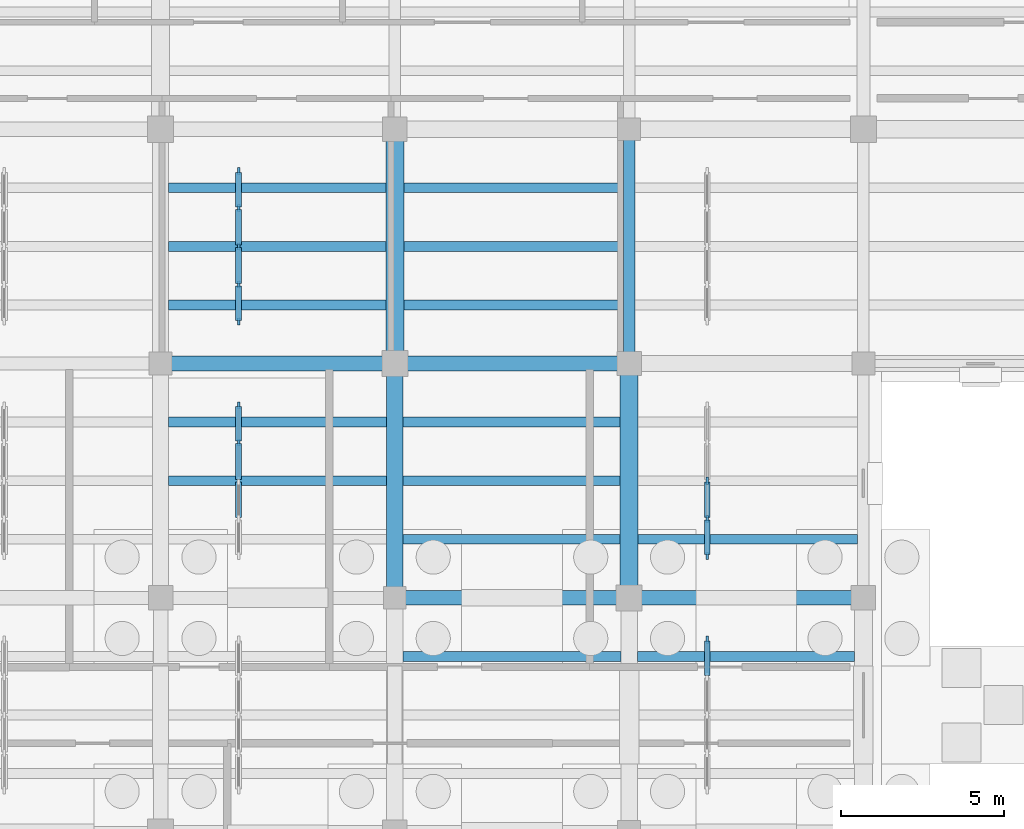
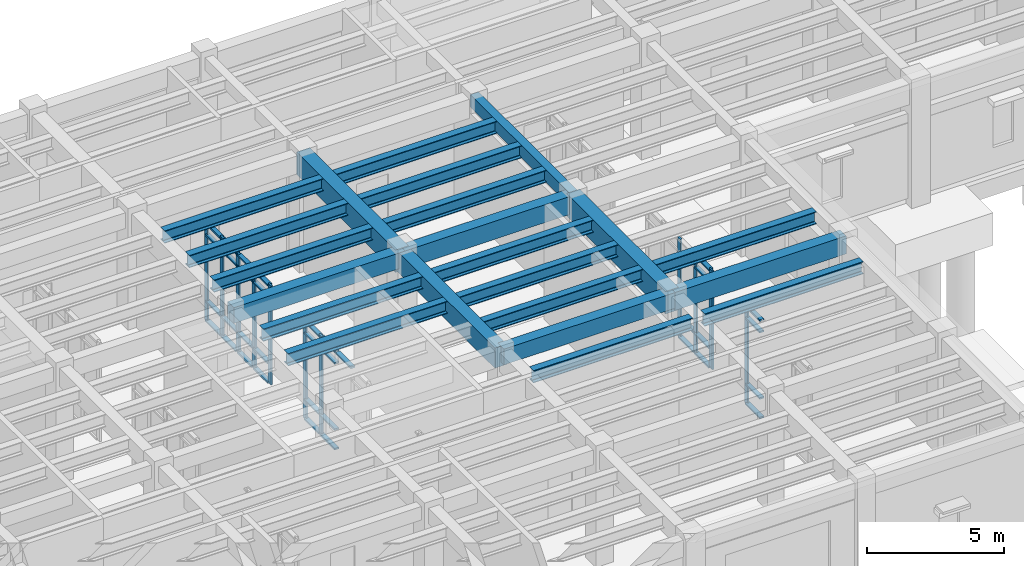
# One storey, part 36 of 100: 46 members, 22 beams, 4 elements without a shape of their own.
"""IFC4 building model written with IfcOpenShell, lengths in metres."""

from ifc_helpers import new_model, si_unit, direction, frame, origin, origin_2d, place, context, subcontext, project, spatial, rectangle, i_section, extrude, material, material_profile, profile_set, type_object, element, aggregate, save


model = new_model("IFC4")

# Units and contexts
model_context = context("Model", 3, precision=1e-05, world=origin(), true_north=direction((0.0, 1.0)))
body_context = subcontext(model_context, "Body", "Model", "MODEL_VIEW")
ifc_project = project(units=[si_unit("LENGTHUNIT", "METRE"), si_unit("AREAUNIT", "SQUARE_METRE"), si_unit("VOLUMEUNIT", "CUBIC_METRE"), si_unit("PLANEANGLEUNIT", "RADIAN"), si_unit("MASSUNIT", "GRAM", prefix="KILO")], contexts=[model_context])

# Site, building, storey
site_placement = place(None, origin())
site = spatial("IfcSite", under=ifc_project, at=site_placement, CompositionType="ELEMENT")
building_placement = place(site_placement, origin())
building = spatial("IfcBuilding", under=site, at=building_placement, Name="Mithqara Police Headquarters", CompositionType="ELEMENT")
storey_placement = place(building_placement, origin())
storey = spatial("IfcBuildingStorey", under=building, at=storey_placement, Name="L00", CompositionType="ELEMENT", Elevation=0.0)

# Beams
ifc_material_1 = material(Name="Steel S355JR", Category="steel")
ifc_material_profile_1 = material_profile(ifc_material_1, i_section(OverallWidth=0.300048828125, OverallDepth=0.550048828125, WebThickness=0.014892578125, FlangeThickness=0.029052734375, FilletRadius=0.027099609375, at=origin_2d()), Name="HEB 550")
ifc_profile_set_1 = profile_set([ifc_material_profile_1], Name="Steel S355JR")
beam_type_1 = type_object("IfcBeamType", Name="BEAM HEB550", PredefinedType="BEAM", material=ifc_profile_set_1)
for number, where, z_axis, x_axis, name in (
    (1, (123.25, 17.39990234375, 4.844970703125), (1.0, 0.0, 0.0), (0.0, 1.0, 0.0), "L00 Composite Steel Joist 18-19/C.2"),
    (2, (123.25, 19.199951171875, 4.844970703125), (1.0, 0.0, 0.0), (0.0, 1.0, 0.0), "L00 Composite Steel Joist 18-19/C.3"),
):
    element("IfcBeam", number, at=place(storey_placement, frame(where, z_axis=z_axis, x_axis=x_axis)), inside=storey, type_object=beam_type_1, Name=name, PredefinedType="BEAM", context=body_context, shape_type="SweptSolid", body=[
        extrude(i_section(OverallWidth=0.300048828125, OverallDepth=0.550048828125, WebThickness=0.014892578125, FlangeThickness=0.029052734375, FilletRadius=0.027099609375, at=origin_2d()), origin(), (0.0, 0.0, 1.0), 6.699951171875),
    ])
for number, where, z_axis, x_axis, name in (
    (3, (123.25, 22.800048828125, 4.844970703125), (1.0, 0.0, 0.0), (0.0, 1.0, 0.0), "L00 Composite Steel Joist 18-19/D.1"),
    (4, (123.25, 24.60009765625, 4.844970703125), (1.0, 0.0, 0.0), (0.0, 1.0, 0.0), "L00 Composite Steel Joist 18-19/D.2"),
    (5, (123.25, 26.39990234375, 4.844970703125), (1.0, 0.0, 0.0), (0.0, 1.0, 0.0), "L00 Composite Steel Joist 18-19/D.3"),
):
    element("IfcBeam", number, at=place(storey_placement, frame(where, z_axis=z_axis, x_axis=x_axis)), inside=storey, type_object=beam_type_1, Name=name, PredefinedType="BEAM", context=body_context, shape_type="SweptSolid", body=[
        extrude(i_section(OverallWidth=0.300048828125, OverallDepth=0.550048828125, WebThickness=0.014892578125, FlangeThickness=0.029052734375, FilletRadius=0.027099609375, at=origin_2d()), origin(), (0.0, 0.0, 1.0), 6.675048828125),
    ])
beam_1_placement = place(storey_placement, frame((130.449951171875, 12.0, 4.844970703125), z_axis=(1.0, 0.0, 0.0), x_axis=(0.0, 1.0, 0.0)))
element("IfcBeam", 6, at=beam_1_placement, inside=storey, type_object=beam_type_1, Name="L00 Composite Steel Joist 19-20/B.3", PredefinedType="BEAM", context=body_context, shape_type="SweptSolid", body=[
    extrude(i_section(OverallWidth=0.300048828125, OverallDepth=0.550048828125, WebThickness=0.014892578125, FlangeThickness=0.029052734375, FilletRadius=0.027099609375, at=origin_2d()), origin(), (0.0, 0.0, 1.0), 6.699951171875),
])
for number, where, z_axis, x_axis, name in (
    (7, (130.449951171875, 15.60009765625, 4.844970703125), (1.0, 0.0, 0.0), (0.0, 1.0, 0.0), "L00 Composite Steel Joist 19-20/C.1"),
    (8, (130.449951171875, 17.39990234375, 4.844970703125), (1.0, 0.0, 0.0), (0.0, 1.0, 0.0), "L00 Composite Steel Joist 19-20/C.2"),
    (9, (130.449951171875, 19.199951171875, 4.844970703125), (1.0, 0.0, 0.0), (0.0, 1.0, 0.0), "L00 Composite Steel Joist 19-20/C.3"),
):
    element("IfcBeam", number, at=place(storey_placement, frame(where, z_axis=z_axis, x_axis=x_axis)), inside=storey, type_object=beam_type_1, Name=name, PredefinedType="BEAM", context=body_context, shape_type="SweptSolid", body=[
        extrude(i_section(OverallWidth=0.300048828125, OverallDepth=0.550048828125, WebThickness=0.014892578125, FlangeThickness=0.029052734375, FilletRadius=0.027099609375, at=origin_2d()), origin(), (0.0, 0.0, 1.0), 6.675048828125),
    ])
for number, where, z_axis, x_axis, name in (
    (10, (130.47509765625, 22.800048828125, 4.844970703125), (1.0, 0.0, 0.0), (0.0, 1.0, 0.0), "L00 Composite Steel Joist 19-20/D.1"),
    (11, (130.47509765625, 24.60009765625, 4.844970703125), (1.0, 0.0, 0.0), (0.0, 1.0, 0.0), "L00 Composite Steel Joist 19-20/D.2"),
    (12, (130.47509765625, 26.39990234375, 4.844970703125), (1.0, 0.0, 0.0), (0.0, 1.0, 0.0), "L00 Composite Steel Joist 19-20/D.3"),
):
    element("IfcBeam", number, at=place(storey_placement, frame(where, z_axis=z_axis, x_axis=x_axis)), inside=storey, type_object=beam_type_1, Name=name, PredefinedType="BEAM", context=body_context, shape_type="SweptSolid", body=[
        extrude(i_section(OverallWidth=0.300048828125, OverallDepth=0.550048828125, WebThickness=0.014892578125, FlangeThickness=0.029052734375, FilletRadius=0.027099609375, at=origin_2d()), origin(), (0.0, 0.0, 1.0), 6.75),
    ])
beam_2_placement = place(storey_placement, frame((137.64990234375, 12.0, 4.844970703125), z_axis=(1.0, 0.0, 0.0), x_axis=(0.0, 1.0, 0.0)))
element("IfcBeam", 13, at=beam_2_placement, inside=storey, type_object=beam_type_1, Name="L00 Composite Steel Joist 20-21/B.3", PredefinedType="BEAM", context=body_context, shape_type="SweptSolid", body=[
    extrude(i_section(OverallWidth=0.300048828125, OverallDepth=0.550048828125, WebThickness=0.014892578125, FlangeThickness=0.029052734375, FilletRadius=0.027099609375, at=origin_2d()), origin(), (0.0, 0.0, 1.0), 6.675048828125),
])
beam_3_placement = place(storey_placement, frame((137.675048828125, 15.60009765625, 4.844970703125), z_axis=(1.0, 0.0, 0.0), x_axis=(0.0, 1.0, 0.0)))
element("IfcBeam", 14, at=beam_3_placement, inside=storey, type_object=beam_type_1, Name="L00 Composite Steel Joist 20-21/C.1", PredefinedType="BEAM", context=body_context, shape_type="SweptSolid", body=[
    extrude(i_section(OverallWidth=0.300048828125, OverallDepth=0.550048828125, WebThickness=0.014892578125, FlangeThickness=0.029052734375, FilletRadius=0.027099609375, at=origin_2d()), origin(), (0.0, 0.0, 1.0), 6.75),
])
ifc_material_2 = material(Name="Concrete C40/50", Category="concrete")
ifc_material_profile_2 = material_profile(ifc_material_2, rectangle(XDim=0.35009765625, YDim=0.550048828125, at=origin_2d()), Name="RC 350x550")
ifc_profile_set_2 = profile_set([ifc_material_profile_2], Name="Concrete C40/50")
beam_type_2 = type_object("IfcBeamType", Name="BEAM RC350X550", PredefinedType="BEAM", material=ifc_profile_set_2)
beam_4_placement = place(storey_placement, frame((137.39990234375, 21.0, 4.844970703125), z_axis=(0.0, 1.0, 0.0), x_axis=(-1.0, 0.0, 0.0)))
element("IfcBeam", 15, at=beam_4_placement, inside=storey, type_object=beam_type_2, Name="L00 Girder 20/D-E", PredefinedType="BEAM", context=body_context, shape_type="SweptSolid", body=[
    extrude(rectangle(XDim=0.35009765625, YDim=0.550048828125, at=origin_2d()), origin(), (0.0, 0.0, 1.0), 7.199951171875),
])
ifc_material_profile_3 = material_profile(ifc_material_2, rectangle(XDim=0.449951171875, YDim=0.699951171875, at=origin_2d()), Name="RC 450x700")
ifc_profile_set_3 = profile_set([ifc_material_profile_3], Name="Concrete C40/50")
beam_type_3 = type_object("IfcBeamType", Name="BEAM RC450X700", PredefinedType="BEAM", material=ifc_profile_set_3)
for number, where, z_axis, x_axis, name in (
    (16, (123.0, 21.0, 4.77001953125), (1.0, 0.0, 0.0), (0.0, 1.0, 0.0), "L00 Girder 18-19/D"),
    (17, (130.199951171875, 13.800048828125, 4.77001953125), (1.0, 0.0, 0.0), (0.0, 1.0, 0.0), "L00 Girder 19-20/C"),
):
    element("IfcBeam", number, at=place(storey_placement, frame(where, z_axis=z_axis, x_axis=x_axis)), inside=storey, type_object=beam_type_3, Name=name, PredefinedType="BEAM", context=body_context, shape_type="SweptSolid", body=[
        extrude(rectangle(XDim=0.449951171875, YDim=0.699951171875, at=origin_2d()), origin(), (0.0, 0.0, 1.0), 7.199951171875),
    ])
ifc_material_profile_4 = material_profile(ifc_material_2, rectangle(XDim=0.449951171875, YDim=0.800048828125, at=origin_2d()), Name="RC 450x800")
ifc_profile_set_4 = profile_set([ifc_material_profile_4], Name="Concrete C40/50")
beam_type_4 = type_object("IfcBeamType", Name="BEAM RC450X800", PredefinedType="BEAM", material=ifc_profile_set_4)
beam_5_placement = place(storey_placement, frame((130.199951171875, 21.0, 4.719970703125), z_axis=(1.0, 0.0, 0.0), x_axis=(0.0, 1.0, 0.0)))
element("IfcBeam", 18, at=beam_5_placement, inside=storey, type_object=beam_type_4, Name="L00 Girder 19-20/D", PredefinedType="BEAM", context=body_context, shape_type="SweptSolid", body=[
    extrude(rectangle(XDim=0.449951171875, YDim=0.800048828125, at=origin_2d()), origin(), (0.0, 0.0, 1.0), 7.199951171875),
])
beam_6_placement = place(storey_placement, frame((137.39990234375, 13.800048828125, 4.719970703125), z_axis=(1.0, 0.0, 0.0), x_axis=(0.0, 1.0, 0.0)))
element("IfcBeam", 19, at=beam_6_placement, inside=storey, type_object=beam_type_4, Name="L00 Girder 20-21/C", PredefinedType="BEAM", context=body_context, shape_type="SweptSolid", body=[
    extrude(rectangle(XDim=0.449951171875, YDim=0.800048828125, at=origin_2d()), origin(), (0.0, 0.0, 1.0), 7.2001953125),
])
ifc_material_3 = material(Name="Concrete C50/60", Category="concrete")
ifc_material_profile_5 = material_profile(ifc_material_3, rectangle(XDim=0.5, YDim=0.89990234375, at=origin_2d()), Name="RC 500x900")
ifc_profile_set_5 = profile_set([ifc_material_profile_5], Name="Concrete C50/60")
beam_type_5 = type_object("IfcBeamType", Name="BEAM RC500X900", PredefinedType="BEAM", material=ifc_profile_set_5)
beam_7_placement = place(storey_placement, frame((130.199951171875, 13.800048828125, 4.669921875), z_axis=(0.0, 1.0, 0.0), x_axis=(-1.0, 0.0, 0.0)))
element("IfcBeam", 20, at=beam_7_placement, inside=storey, type_object=beam_type_5, Name="L00 Girder 19/C-D", PredefinedType="BEAM", context=body_context, shape_type="SweptSolid", body=[
    extrude(rectangle(XDim=0.5, YDim=0.89990234375, at=origin_2d()), origin(), (0.0, 0.0, 1.0), 7.199951171875),
])
ifc_material_profile_6 = material_profile(ifc_material_3, rectangle(XDim=0.550048828125, YDim=1.0, at=origin_2d()), Name="RC 550x1000")
ifc_profile_set_6 = profile_set([ifc_material_profile_6], Name="Concrete C50/60")
beam_type_6 = type_object("IfcBeamType", Name="BEAM RC550X1000", PredefinedType="BEAM", material=ifc_profile_set_6)
for number, where, z_axis, x_axis, name in (
    (21, (130.199951171875, 21.0, 4.6201171875), (0.0, 1.0, 0.0), (-1.0, 0.0, 0.0), "L00 Girder 19/D-E"),
    (22, (137.39990234375, 13.800048828125, 4.6201171875), (0.0, 1.0, 0.0), (-1.0, 0.0, 0.0), "L00 Girder 20/C-D"),
):
    element("IfcBeam", number, at=place(storey_placement, frame(where, z_axis=z_axis, x_axis=x_axis)), inside=storey, type_object=beam_type_6, Name=name, PredefinedType="BEAM", context=body_context, shape_type="SweptSolid", body=[
        extrude(rectangle(XDim=0.550048828125, YDim=1.0, at=origin_2d()), origin(), (0.0, 0.0, 1.0), 7.199951171875),
    ])

# Curtain wall, members
ifc_material_4 = material(Name="Bronze anodised aluminium 6063-T6", Category="aluminium")
curtain_wall_type = type_object("IfcCurtainWallType", Name="CURTAIN WALL 4700X4400", PredefinedType="USERDEFINED", material=ifc_material_4)
curtain_wall_1_placement = place(storey_placement, origin())
curtain_wall_1 = element("IfcCurtainWall", 23, at=curtain_wall_1_placement, inside=storey, type_object=curtain_wall_type, Name="L00 Unitised Glazing CW-14 (CW-INT-L00-X17-Y02-0)", ObjectType="UNITISED GLAZING", PredefinedType="USERDEFINED")
ifc_material_profile_7 = material_profile(ifc_material_4, rectangle(XDim=0.074951171875, YDim=0.219970703125, at=origin_2d()), Name="CWM 75x220")
ifc_profile_set_7 = profile_set([ifc_material_profile_7], Name="Bronze anodised aluminium 6063-T6")
member_type_1 = type_object("IfcMemberType", Name="CWMULLION 75X220", PredefinedType="MULLION", material=ifc_profile_set_7)
member_1_placement = place(storey_placement, frame((125.39990234375, 18.574951171875, 0.0), z_axis=(0.0, 0.0, 1.0), x_axis=(-1.0, 0.0, 0.0)))
member_1 = element("IfcMember", 24, at=member_1_placement, type_object=member_type_1, Name="CW-14 mullion 4", PredefinedType="MULLION", context=body_context, shape_type="SweptSolid", body=[
    extrude(rectangle(XDim=0.074951171875, YDim=0.219970703125, at=origin_2d()), origin(), (0.0, 0.0, 1.0), 4.39990234375),
])
member_2_placement = place(storey_placement, frame((125.39990234375, 19.71240234375, 0.0), z_axis=(0.0, 0.0, 1.0), x_axis=(-1.0, 0.0, 0.0)))
member_2 = element("IfcMember", 25, at=member_2_placement, type_object=member_type_1, Name="CW-14 mullion 5", PredefinedType="MULLION", context=body_context, shape_type="SweptSolid", body=[
    extrude(rectangle(XDim=0.074951171875, YDim=0.219970703125, at=origin_2d()), origin(), (0.0, 0.0, 1.0), 4.39990234375),
])

curtain_wall_2_placement = place(storey_placement, origin())
curtain_wall_2 = element("IfcCurtainWall", 26, at=curtain_wall_2_placement, inside=storey, type_object=curtain_wall_type, Name="L00 Unitised Glazing CW-14 (CW-INT-L00-X17-Y03-0)", ObjectType="UNITISED GLAZING", PredefinedType="USERDEFINED")
member_3_placement = place(storey_placement, frame((125.39990234375, 22.28759765625, 0.0), z_axis=(0.0, 0.0, 1.0), x_axis=(-1.0, 0.0, 0.0)))
member_3 = element("IfcMember", 27, at=member_3_placement, type_object=member_type_1, Name="CW-14 mullion 1", PredefinedType="MULLION", context=body_context, shape_type="SweptSolid", body=[
    extrude(rectangle(XDim=0.074951171875, YDim=0.219970703125, at=origin_2d()), origin(), (0.0, 0.0, 1.0), 4.39990234375),
])
member_4_placement = place(storey_placement, frame((125.39990234375, 23.425048828125, 0.0), z_axis=(0.0, 0.0, 1.0), x_axis=(-1.0, 0.0, 0.0)))
member_4 = element("IfcMember", 28, at=member_4_placement, type_object=member_type_1, Name="CW-14 mullion 2", PredefinedType="MULLION", context=body_context, shape_type="SweptSolid", body=[
    extrude(rectangle(XDim=0.074951171875, YDim=0.219970703125, at=origin_2d()), origin(), (0.0, 0.0, 1.0), 4.39990234375),
])
member_5_placement = place(storey_placement, frame((125.39990234375, 24.60009765625, 0.0), z_axis=(0.0, 0.0, 1.0), x_axis=(-1.0, 0.0, 0.0)))
member_5 = element("IfcMember", 29, at=member_5_placement, type_object=member_type_1, Name="CW-14 mullion 3", PredefinedType="MULLION", context=body_context, shape_type="SweptSolid", body=[
    extrude(rectangle(XDim=0.074951171875, YDim=0.219970703125, at=origin_2d()), origin(), (0.0, 0.0, 1.0), 4.39990234375),
])
member_6_placement = place(storey_placement, frame((125.39990234375, 25.77490234375, 0.0), z_axis=(0.0, 0.0, 1.0), x_axis=(-1.0, 0.0, 0.0)))
member_6 = element("IfcMember", 30, at=member_6_placement, type_object=member_type_1, Name="CW-14 mullion 4", PredefinedType="MULLION", context=body_context, shape_type="SweptSolid", body=[
    extrude(rectangle(XDim=0.074951171875, YDim=0.219970703125, at=origin_2d()), origin(), (0.0, 0.0, 1.0), 4.39990234375),
])
member_7_placement = place(storey_placement, frame((125.39990234375, 26.91259765625, 0.0), z_axis=(0.0, 0.0, 1.0), x_axis=(-1.0, 0.0, 0.0)))
member_7 = element("IfcMember", 31, at=member_7_placement, type_object=member_type_1, Name="CW-14 mullion 5", PredefinedType="MULLION", context=body_context, shape_type="SweptSolid", body=[
    extrude(rectangle(XDim=0.074951171875, YDim=0.219970703125, at=origin_2d()), origin(), (0.0, 0.0, 1.0), 4.39990234375),
])

# Curtain wall, member
curtain_wall_3_placement = place(storey_placement, origin())
curtain_wall_3 = element("IfcCurtainWall", 32, at=curtain_wall_3_placement, inside=storey, type_object=curtain_wall_type, Name="L00 Unitised Glazing CW-14 (CW-INT-L00-X19-Y01-0)", ObjectType="UNITISED GLAZING", PredefinedType="USERDEFINED")
member_8_placement = place(storey_placement, frame((139.800048828125, 12.512451171875, 0.0), z_axis=(0.0, 0.0, 1.0), x_axis=(-1.0, 0.0, 0.0)))
member_8 = element("IfcMember", 33, at=member_8_placement, type_object=member_type_1, Name="CW-14 mullion 5", PredefinedType="MULLION", context=body_context, shape_type="SweptSolid", body=[
    extrude(rectangle(XDim=0.074951171875, YDim=0.219970703125, at=origin_2d()), origin(), (0.0, 0.0, 1.0), 4.39990234375),
])

# Curtain wall, members
curtain_wall_4_placement = place(storey_placement, origin())
curtain_wall_4 = element("IfcCurtainWall", 34, at=curtain_wall_4_placement, inside=storey, type_object=curtain_wall_type, Name="L00 Unitised Glazing CW-14 (CW-INT-L00-X19-Y02-0)", ObjectType="UNITISED GLAZING", PredefinedType="USERDEFINED")
member_9_placement = place(storey_placement, frame((139.800048828125, 15.08740234375, 0.0), z_axis=(0.0, 0.0, 1.0), x_axis=(-1.0, 0.0, 0.0)))
member_9 = element("IfcMember", 35, at=member_9_placement, type_object=member_type_1, Name="CW-14 mullion 1", PredefinedType="MULLION", context=body_context, shape_type="SweptSolid", body=[
    extrude(rectangle(XDim=0.074951171875, YDim=0.219970703125, at=origin_2d()), origin(), (0.0, 0.0, 1.0), 4.39990234375),
])
member_10_placement = place(storey_placement, frame((139.800048828125, 16.22509765625, 0.0), z_axis=(0.0, 0.0, 1.0), x_axis=(-1.0, 0.0, 0.0)))
member_10 = element("IfcMember", 36, at=member_10_placement, type_object=member_type_1, Name="CW-14 mullion 2", PredefinedType="MULLION", context=body_context, shape_type="SweptSolid", body=[
    extrude(rectangle(XDim=0.074951171875, YDim=0.219970703125, at=origin_2d()), origin(), (0.0, 0.0, 1.0), 4.39990234375),
])
member_11_placement = place(storey_placement, frame((139.800048828125, 17.39990234375, 0.0), z_axis=(0.0, 0.0, 1.0), x_axis=(-1.0, 0.0, 0.0)))
member_11 = element("IfcMember", 37, at=member_11_placement, type_object=member_type_1, Name="CW-14 mullion 3", PredefinedType="MULLION", context=body_context, shape_type="SweptSolid", body=[
    extrude(rectangle(XDim=0.074951171875, YDim=0.219970703125, at=origin_2d()), origin(), (0.0, 0.0, 1.0), 4.39990234375),
])

# Member
ifc_material_profile_8 = material_profile(ifc_material_4, rectangle(XDim=0.179931640625, YDim=0.074951171875, at=origin_2d()), Name="CWT 180x75")
ifc_profile_set_8 = profile_set([ifc_material_profile_8], Name="Bronze anodised aluminium 6063-T6")
member_type_2 = type_object("IfcMemberType", Name="CWTRANSOM 180X75", PredefinedType="USERDEFINED", material=ifc_profile_set_8)
member_12_placement = place(storey_placement, frame((125.39990234375, 16.262451171875, 4.362548828125), z_axis=(0.0, 1.0, 0.0), x_axis=(-1.0, 0.0, 0.0)))
member_12 = element("IfcMember", 38, at=member_12_placement, type_object=member_type_2, Name="CW-14 transom 2.4", ObjectType="TRANSOM", PredefinedType="USERDEFINED", context=body_context, shape_type="SweptSolid", body=[
    extrude(rectangle(XDim=0.179931640625, YDim=0.074951171875, at=origin_2d()), origin(), (0.0, 0.0, 1.0), 1.10009765625),
])

member_13_placement = place(storey_placement, frame((125.39990234375, 17.4375, 0.03759765625), z_axis=(0.0, 1.0, 0.0), x_axis=(-1.0, 0.0, 0.0)))
member_13 = element("IfcMember", 39, at=member_13_placement, type_object=member_type_2, Name="CW-14 transom 3.1", ObjectType="TRANSOM", PredefinedType="USERDEFINED", context=body_context, shape_type="SweptSolid", body=[
    extrude(rectangle(XDim=0.179931640625, YDim=0.074951171875, at=origin_2d()), origin(), (0.0, 0.0, 1.0), 1.10009765625),
])

member_14_placement = place(storey_placement, frame((125.39990234375, 17.4375, 0.89990234375), z_axis=(0.0, 1.0, 0.0), x_axis=(-1.0, 0.0, 0.0)))
member_14 = element("IfcMember", 40, at=member_14_placement, type_object=member_type_2, Name="CW-14 transom 3.2", ObjectType="TRANSOM", PredefinedType="USERDEFINED", context=body_context, shape_type="SweptSolid", body=[
    extrude(rectangle(XDim=0.179931640625, YDim=0.074951171875, at=origin_2d()), origin(), (0.0, 0.0, 1.0), 1.10009765625),
])

member_15_placement = place(storey_placement, frame((125.39990234375, 17.4375, 3.85009765625), z_axis=(0.0, 1.0, 0.0), x_axis=(-1.0, 0.0, 0.0)))
member_15 = element("IfcMember", 41, at=member_15_placement, type_object=member_type_2, Name="CW-14 transom 3.3", ObjectType="TRANSOM", PredefinedType="USERDEFINED", context=body_context, shape_type="SweptSolid", body=[
    extrude(rectangle(XDim=0.179931640625, YDim=0.074951171875, at=origin_2d()), origin(), (0.0, 0.0, 1.0), 1.10009765625),
])

member_16_placement = place(storey_placement, frame((125.39990234375, 17.4375, 4.362548828125), z_axis=(0.0, 1.0, 0.0), x_axis=(-1.0, 0.0, 0.0)))
member_16 = element("IfcMember", 42, at=member_16_placement, type_object=member_type_2, Name="CW-14 transom 3.4", ObjectType="TRANSOM", PredefinedType="USERDEFINED", context=body_context, shape_type="SweptSolid", body=[
    extrude(rectangle(XDim=0.179931640625, YDim=0.074951171875, at=origin_2d()), origin(), (0.0, 0.0, 1.0), 1.10009765625),
])

member_17_placement = place(storey_placement, frame((125.39990234375, 18.612548828125, 0.03759765625), z_axis=(0.0, 1.0, 0.0), x_axis=(-1.0, 0.0, 0.0)))
member_17 = element("IfcMember", 43, at=member_17_placement, type_object=member_type_2, Name="CW-14 transom 4.1", ObjectType="TRANSOM", PredefinedType="USERDEFINED", context=body_context, shape_type="SweptSolid", body=[
    extrude(rectangle(XDim=0.179931640625, YDim=0.074951171875, at=origin_2d()), origin(), (0.0, 0.0, 1.0), 1.0625),
])

member_18_placement = place(storey_placement, frame((125.39990234375, 18.612548828125, 0.89990234375), z_axis=(0.0, 1.0, 0.0), x_axis=(-1.0, 0.0, 0.0)))
member_18 = element("IfcMember", 44, at=member_18_placement, type_object=member_type_2, Name="CW-14 transom 4.2", ObjectType="TRANSOM", PredefinedType="USERDEFINED", context=body_context, shape_type="SweptSolid", body=[
    extrude(rectangle(XDim=0.179931640625, YDim=0.074951171875, at=origin_2d()), origin(), (0.0, 0.0, 1.0), 1.0625),
])

member_19_placement = place(storey_placement, frame((125.39990234375, 18.612548828125, 3.85009765625), z_axis=(0.0, 1.0, 0.0), x_axis=(-1.0, 0.0, 0.0)))
member_19 = element("IfcMember", 45, at=member_19_placement, type_object=member_type_2, Name="CW-14 transom 4.3", ObjectType="TRANSOM", PredefinedType="USERDEFINED", context=body_context, shape_type="SweptSolid", body=[
    extrude(rectangle(XDim=0.179931640625, YDim=0.074951171875, at=origin_2d()), origin(), (0.0, 0.0, 1.0), 1.0625),
])

member_20_placement = place(storey_placement, frame((125.39990234375, 18.612548828125, 4.362548828125), z_axis=(0.0, 1.0, 0.0), x_axis=(-1.0, 0.0, 0.0)))
member_20 = element("IfcMember", 46, at=member_20_placement, type_object=member_type_2, Name="CW-14 transom 4.4", ObjectType="TRANSOM", PredefinedType="USERDEFINED", context=body_context, shape_type="SweptSolid", body=[
    extrude(rectangle(XDim=0.179931640625, YDim=0.074951171875, at=origin_2d()), origin(), (0.0, 0.0, 1.0), 1.0625),
])

aggregate(curtain_wall_1, [member_1, member_2, member_12, member_13, member_14, member_15, member_16, member_17, member_18, member_19, member_20])

member_21_placement = place(storey_placement, frame((125.39990234375, 22.324951171875, 0.03759765625), z_axis=(0.0, 1.0, 0.0), x_axis=(-1.0, 0.0, 0.0)))
member_21 = element("IfcMember", 47, at=member_21_placement, type_object=member_type_2, Name="CW-14 transom 1.1", ObjectType="TRANSOM", PredefinedType="USERDEFINED", context=body_context, shape_type="SweptSolid", body=[
    extrude(rectangle(XDim=0.179931640625, YDim=0.074951171875, at=origin_2d()), origin(), (0.0, 0.0, 1.0), 1.0625),
])

member_22_placement = place(storey_placement, frame((125.39990234375, 22.324951171875, 0.89990234375), z_axis=(0.0, 1.0, 0.0), x_axis=(-1.0, 0.0, 0.0)))
member_22 = element("IfcMember", 48, at=member_22_placement, type_object=member_type_2, Name="CW-14 transom 1.2", ObjectType="TRANSOM", PredefinedType="USERDEFINED", context=body_context, shape_type="SweptSolid", body=[
    extrude(rectangle(XDim=0.179931640625, YDim=0.074951171875, at=origin_2d()), origin(), (0.0, 0.0, 1.0), 1.0625),
])

member_23_placement = place(storey_placement, frame((125.39990234375, 22.324951171875, 3.85009765625), z_axis=(0.0, 1.0, 0.0), x_axis=(-1.0, 0.0, 0.0)))
member_23 = element("IfcMember", 49, at=member_23_placement, type_object=member_type_2, Name="CW-14 transom 1.3", ObjectType="TRANSOM", PredefinedType="USERDEFINED", context=body_context, shape_type="SweptSolid", body=[
    extrude(rectangle(XDim=0.179931640625, YDim=0.074951171875, at=origin_2d()), origin(), (0.0, 0.0, 1.0), 1.0625),
])

member_24_placement = place(storey_placement, frame((125.39990234375, 22.324951171875, 4.362548828125), z_axis=(0.0, 1.0, 0.0), x_axis=(-1.0, 0.0, 0.0)))
member_24 = element("IfcMember", 50, at=member_24_placement, type_object=member_type_2, Name="CW-14 transom 1.4", ObjectType="TRANSOM", PredefinedType="USERDEFINED", context=body_context, shape_type="SweptSolid", body=[
    extrude(rectangle(XDim=0.179931640625, YDim=0.074951171875, at=origin_2d()), origin(), (0.0, 0.0, 1.0), 1.0625),
])

member_25_placement = place(storey_placement, frame((125.39990234375, 23.46240234375, 0.03759765625), z_axis=(0.0, 1.0, 0.0), x_axis=(-1.0, 0.0, 0.0)))
member_25 = element("IfcMember", 51, at=member_25_placement, type_object=member_type_2, Name="CW-14 transom 2.1", ObjectType="TRANSOM", PredefinedType="USERDEFINED", context=body_context, shape_type="SweptSolid", body=[
    extrude(rectangle(XDim=0.179931640625, YDim=0.074951171875, at=origin_2d()), origin(), (0.0, 0.0, 1.0), 1.10009765625),
])

member_26_placement = place(storey_placement, frame((125.39990234375, 23.46240234375, 0.89990234375), z_axis=(0.0, 1.0, 0.0), x_axis=(-1.0, 0.0, 0.0)))
member_26 = element("IfcMember", 52, at=member_26_placement, type_object=member_type_2, Name="CW-14 transom 2.2", ObjectType="TRANSOM", PredefinedType="USERDEFINED", context=body_context, shape_type="SweptSolid", body=[
    extrude(rectangle(XDim=0.179931640625, YDim=0.074951171875, at=origin_2d()), origin(), (0.0, 0.0, 1.0), 1.10009765625),
])

member_27_placement = place(storey_placement, frame((125.39990234375, 23.46240234375, 3.85009765625), z_axis=(0.0, 1.0, 0.0), x_axis=(-1.0, 0.0, 0.0)))
member_27 = element("IfcMember", 53, at=member_27_placement, type_object=member_type_2, Name="CW-14 transom 2.3", ObjectType="TRANSOM", PredefinedType="USERDEFINED", context=body_context, shape_type="SweptSolid", body=[
    extrude(rectangle(XDim=0.179931640625, YDim=0.074951171875, at=origin_2d()), origin(), (0.0, 0.0, 1.0), 1.10009765625),
])

member_28_placement = place(storey_placement, frame((125.39990234375, 23.46240234375, 4.362548828125), z_axis=(0.0, 1.0, 0.0), x_axis=(-1.0, 0.0, 0.0)))
member_28 = element("IfcMember", 54, at=member_28_placement, type_object=member_type_2, Name="CW-14 transom 2.4", ObjectType="TRANSOM", PredefinedType="USERDEFINED", context=body_context, shape_type="SweptSolid", body=[
    extrude(rectangle(XDim=0.179931640625, YDim=0.074951171875, at=origin_2d()), origin(), (0.0, 0.0, 1.0), 1.10009765625),
])

member_29_placement = place(storey_placement, frame((125.39990234375, 24.637451171875, 0.03759765625), z_axis=(0.0, 1.0, 0.0), x_axis=(-1.0, 0.0, 0.0)))
member_29 = element("IfcMember", 55, at=member_29_placement, type_object=member_type_2, Name="CW-14 transom 3.1", ObjectType="TRANSOM", PredefinedType="USERDEFINED", context=body_context, shape_type="SweptSolid", body=[
    extrude(rectangle(XDim=0.179931640625, YDim=0.074951171875, at=origin_2d()), origin(), (0.0, 0.0, 1.0), 1.10009765625),
])

member_30_placement = place(storey_placement, frame((125.39990234375, 24.637451171875, 0.89990234375), z_axis=(0.0, 1.0, 0.0), x_axis=(-1.0, 0.0, 0.0)))
member_30 = element("IfcMember", 56, at=member_30_placement, type_object=member_type_2, Name="CW-14 transom 3.2", ObjectType="TRANSOM", PredefinedType="USERDEFINED", context=body_context, shape_type="SweptSolid", body=[
    extrude(rectangle(XDim=0.179931640625, YDim=0.074951171875, at=origin_2d()), origin(), (0.0, 0.0, 1.0), 1.10009765625),
])

member_31_placement = place(storey_placement, frame((125.39990234375, 24.637451171875, 3.85009765625), z_axis=(0.0, 1.0, 0.0), x_axis=(-1.0, 0.0, 0.0)))
member_31 = element("IfcMember", 57, at=member_31_placement, type_object=member_type_2, Name="CW-14 transom 3.3", ObjectType="TRANSOM", PredefinedType="USERDEFINED", context=body_context, shape_type="SweptSolid", body=[
    extrude(rectangle(XDim=0.179931640625, YDim=0.074951171875, at=origin_2d()), origin(), (0.0, 0.0, 1.0), 1.10009765625),
])

member_32_placement = place(storey_placement, frame((125.39990234375, 24.637451171875, 4.362548828125), z_axis=(0.0, 1.0, 0.0), x_axis=(-1.0, 0.0, 0.0)))
member_32 = element("IfcMember", 58, at=member_32_placement, type_object=member_type_2, Name="CW-14 transom 3.4", ObjectType="TRANSOM", PredefinedType="USERDEFINED", context=body_context, shape_type="SweptSolid", body=[
    extrude(rectangle(XDim=0.179931640625, YDim=0.074951171875, at=origin_2d()), origin(), (0.0, 0.0, 1.0), 1.10009765625),
])

member_33_placement = place(storey_placement, frame((125.39990234375, 25.8125, 0.03759765625), z_axis=(0.0, 1.0, 0.0), x_axis=(-1.0, 0.0, 0.0)))
member_33 = element("IfcMember", 59, at=member_33_placement, type_object=member_type_2, Name="CW-14 transom 4.1", ObjectType="TRANSOM", PredefinedType="USERDEFINED", context=body_context, shape_type="SweptSolid", body=[
    extrude(rectangle(XDim=0.179931640625, YDim=0.074951171875, at=origin_2d()), origin(), (0.0, 0.0, 1.0), 1.0625),
])

member_34_placement = place(storey_placement, frame((125.39990234375, 25.8125, 0.89990234375), z_axis=(0.0, 1.0, 0.0), x_axis=(-1.0, 0.0, 0.0)))
member_34 = element("IfcMember", 60, at=member_34_placement, type_object=member_type_2, Name="CW-14 transom 4.2", ObjectType="TRANSOM", PredefinedType="USERDEFINED", context=body_context, shape_type="SweptSolid", body=[
    extrude(rectangle(XDim=0.179931640625, YDim=0.074951171875, at=origin_2d()), origin(), (0.0, 0.0, 1.0), 1.0625),
])

member_35_placement = place(storey_placement, frame((125.39990234375, 25.8125, 3.85009765625), z_axis=(0.0, 1.0, 0.0), x_axis=(-1.0, 0.0, 0.0)))
member_35 = element("IfcMember", 61, at=member_35_placement, type_object=member_type_2, Name="CW-14 transom 4.3", ObjectType="TRANSOM", PredefinedType="USERDEFINED", context=body_context, shape_type="SweptSolid", body=[
    extrude(rectangle(XDim=0.179931640625, YDim=0.074951171875, at=origin_2d()), origin(), (0.0, 0.0, 1.0), 1.0625),
])

member_36_placement = place(storey_placement, frame((125.39990234375, 25.8125, 4.362548828125), z_axis=(0.0, 1.0, 0.0), x_axis=(-1.0, 0.0, 0.0)))
member_36 = element("IfcMember", 62, at=member_36_placement, type_object=member_type_2, Name="CW-14 transom 4.4", ObjectType="TRANSOM", PredefinedType="USERDEFINED", context=body_context, shape_type="SweptSolid", body=[
    extrude(rectangle(XDim=0.179931640625, YDim=0.074951171875, at=origin_2d()), origin(), (0.0, 0.0, 1.0), 1.0625),
])

aggregate(curtain_wall_2, [member_3, member_4, member_5, member_6, member_7, member_21, member_22, member_23, member_24, member_25, member_26, member_27, member_28, member_29, member_30, member_31, member_32, member_33, member_34, member_35, member_36])

member_37_placement = place(storey_placement, frame((139.800048828125, 11.41259765625, 0.03759765625), z_axis=(0.0, 1.0, 0.0), x_axis=(-1.0, 0.0, 0.0)))
member_37 = element("IfcMember", 63, at=member_37_placement, type_object=member_type_2, Name="CW-14 transom 4.1", ObjectType="TRANSOM", PredefinedType="USERDEFINED", context=body_context, shape_type="SweptSolid", body=[
    extrude(rectangle(XDim=0.179931640625, YDim=0.074951171875, at=origin_2d()), origin(), (0.0, 0.0, 1.0), 1.0625),
])

member_38_placement = place(storey_placement, frame((139.800048828125, 11.41259765625, 0.89990234375), z_axis=(0.0, 1.0, 0.0), x_axis=(-1.0, 0.0, 0.0)))
member_38 = element("IfcMember", 64, at=member_38_placement, type_object=member_type_2, Name="CW-14 transom 4.2", ObjectType="TRANSOM", PredefinedType="USERDEFINED", context=body_context, shape_type="SweptSolid", body=[
    extrude(rectangle(XDim=0.179931640625, YDim=0.074951171875, at=origin_2d()), origin(), (0.0, 0.0, 1.0), 1.0625),
])

member_39_placement = place(storey_placement, frame((139.800048828125, 11.41259765625, 3.85009765625), z_axis=(0.0, 1.0, 0.0), x_axis=(-1.0, 0.0, 0.0)))
member_39 = element("IfcMember", 65, at=member_39_placement, type_object=member_type_2, Name="CW-14 transom 4.3", ObjectType="TRANSOM", PredefinedType="USERDEFINED", context=body_context, shape_type="SweptSolid", body=[
    extrude(rectangle(XDim=0.179931640625, YDim=0.074951171875, at=origin_2d()), origin(), (0.0, 0.0, 1.0), 1.0625),
])

member_40_placement = place(storey_placement, frame((139.800048828125, 11.41259765625, 4.362548828125), z_axis=(0.0, 1.0, 0.0), x_axis=(-1.0, 0.0, 0.0)))
member_40 = element("IfcMember", 66, at=member_40_placement, type_object=member_type_2, Name="CW-14 transom 4.4", ObjectType="TRANSOM", PredefinedType="USERDEFINED", context=body_context, shape_type="SweptSolid", body=[
    extrude(rectangle(XDim=0.179931640625, YDim=0.074951171875, at=origin_2d()), origin(), (0.0, 0.0, 1.0), 1.0625),
])

aggregate(curtain_wall_3, [member_8, member_37, member_38, member_39, member_40])

member_41_placement = place(storey_placement, frame((139.800048828125, 15.125, 0.03759765625), z_axis=(0.0, 1.0, 0.0), x_axis=(-1.0, 0.0, 0.0)))
member_41 = element("IfcMember", 67, at=member_41_placement, type_object=member_type_2, Name="CW-14 transom 1.1", ObjectType="TRANSOM", PredefinedType="USERDEFINED", context=body_context, shape_type="SweptSolid", body=[
    extrude(rectangle(XDim=0.179931640625, YDim=0.074951171875, at=origin_2d()), origin(), (0.0, 0.0, 1.0), 1.0625),
])

member_42_placement = place(storey_placement, frame((139.800048828125, 15.125, 0.89990234375), z_axis=(0.0, 1.0, 0.0), x_axis=(-1.0, 0.0, 0.0)))
member_42 = element("IfcMember", 68, at=member_42_placement, type_object=member_type_2, Name="CW-14 transom 1.2", ObjectType="TRANSOM", PredefinedType="USERDEFINED", context=body_context, shape_type="SweptSolid", body=[
    extrude(rectangle(XDim=0.179931640625, YDim=0.074951171875, at=origin_2d()), origin(), (0.0, 0.0, 1.0), 1.0625),
])

member_43_placement = place(storey_placement, frame((139.800048828125, 15.125, 3.85009765625), z_axis=(0.0, 1.0, 0.0), x_axis=(-1.0, 0.0, 0.0)))
member_43 = element("IfcMember", 69, at=member_43_placement, type_object=member_type_2, Name="CW-14 transom 1.3", ObjectType="TRANSOM", PredefinedType="USERDEFINED", context=body_context, shape_type="SweptSolid", body=[
    extrude(rectangle(XDim=0.179931640625, YDim=0.074951171875, at=origin_2d()), origin(), (0.0, 0.0, 1.0), 1.0625),
])

member_44_placement = place(storey_placement, frame((139.800048828125, 15.125, 4.362548828125), z_axis=(0.0, 1.0, 0.0), x_axis=(-1.0, 0.0, 0.0)))
member_44 = element("IfcMember", 70, at=member_44_placement, type_object=member_type_2, Name="CW-14 transom 1.4", ObjectType="TRANSOM", PredefinedType="USERDEFINED", context=body_context, shape_type="SweptSolid", body=[
    extrude(rectangle(XDim=0.179931640625, YDim=0.074951171875, at=origin_2d()), origin(), (0.0, 0.0, 1.0), 1.0625),
])

member_45_placement = place(storey_placement, frame((139.800048828125, 16.262451171875, 0.03759765625), z_axis=(0.0, 1.0, 0.0), x_axis=(-1.0, 0.0, 0.0)))
member_45 = element("IfcMember", 71, at=member_45_placement, type_object=member_type_2, Name="CW-14 transom 2.1", ObjectType="TRANSOM", PredefinedType="USERDEFINED", context=body_context, shape_type="SweptSolid", body=[
    extrude(rectangle(XDim=0.179931640625, YDim=0.074951171875, at=origin_2d()), origin(), (0.0, 0.0, 1.0), 1.10009765625),
])

member_46_placement = place(storey_placement, frame((139.800048828125, 16.262451171875, 0.89990234375), z_axis=(0.0, 1.0, 0.0), x_axis=(-1.0, 0.0, 0.0)))
member_46 = element("IfcMember", 72, at=member_46_placement, type_object=member_type_2, Name="CW-14 transom 2.2", ObjectType="TRANSOM", PredefinedType="USERDEFINED", context=body_context, shape_type="SweptSolid", body=[
    extrude(rectangle(XDim=0.179931640625, YDim=0.074951171875, at=origin_2d()), origin(), (0.0, 0.0, 1.0), 1.10009765625),
])

aggregate(curtain_wall_4, [member_9, member_10, member_11, member_41, member_42, member_43, member_44, member_45, member_46])

save(model, "model.ifc")
